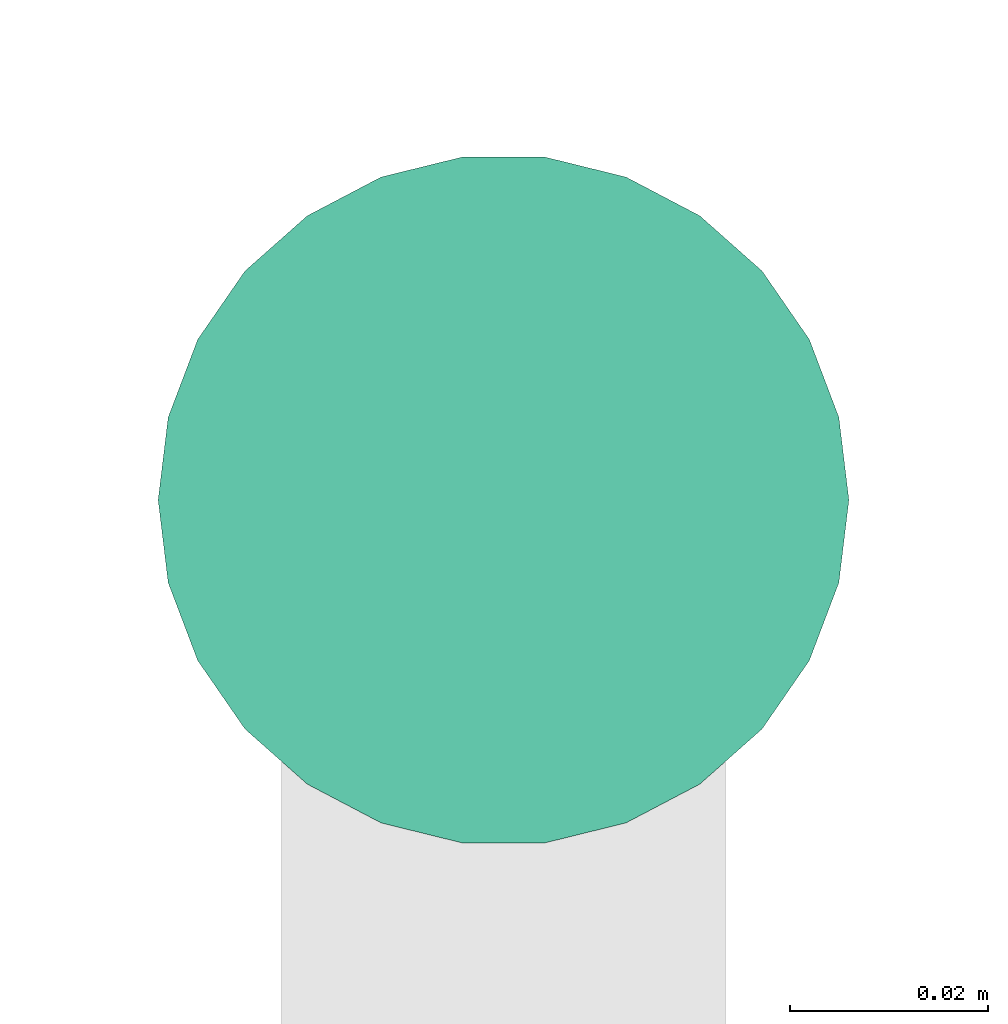
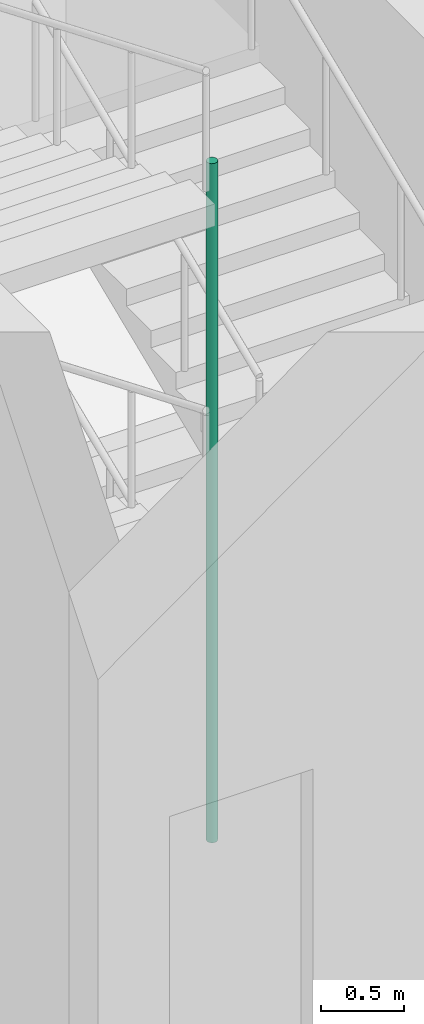
# One storey, part 23 of 31: 1 pipe segment.
"""IFC4 building model written with IfcOpenShell, lengths in metres."""

from ifc_helpers import new_model, si_unit, direction, frame, origin, origin_2d, place, context, subcontext, project, spatial, circle, extrude, element, save


model = new_model("IFC4")

# Units and contexts
model_context = context("Model", 3, precision=1e-05, world=origin(), true_north=direction((0.0, 1.0)))
body_context = subcontext(model_context, "Body", "Model", "MODEL_VIEW")
ifc_project = project(units=[si_unit("LENGTHUNIT", "METRE"), si_unit("AREAUNIT", "SQUARE_METRE"), si_unit("VOLUMEUNIT", "CUBIC_METRE"), si_unit("PLANEANGLEUNIT", "RADIAN"), si_unit("MASSUNIT", "GRAM", prefix="KILO")], contexts=[model_context])

# Site, building, storey
site_placement = place(None, origin())
site = spatial("IfcSite", under=ifc_project, at=site_placement, CompositionType="ELEMENT")
building_placement = place(site_placement, origin())
building = spatial("IfcBuilding", under=site, at=building_placement, Name="Nzadi Deep Aquarium and Research Tower", CompositionType="ELEMENT")
storey_placement = place(building_placement, frame((0.0, 0.0, 21.699951171875)))
storey = spatial("IfcBuildingStorey", under=building, at=storey_placement, Name="L03", CompositionType="ELEMENT", Elevation=21.699951171875)

# Pipe segment
pipe_segment_placement = place(storey_placement, frame((55.300048828125, 68.9599609375, 0.0), z_axis=(0.0, 0.0, 1.0), x_axis=(1.0, 0.0, 0.0)))
element("IfcPipeSegment", 1, at=pipe_segment_placement, inside=storey, Name="Dry riser ST-Z2-E L03", PredefinedType="RIGIDSEGMENT", context=body_context, shape_type="SweptSolid", body=[
    extrude(circle(Radius=0.034912109375, at=origin_2d()), origin(), (0.0, 0.0, 1.0), 5.0),
])

save(model, "model.ifc")
